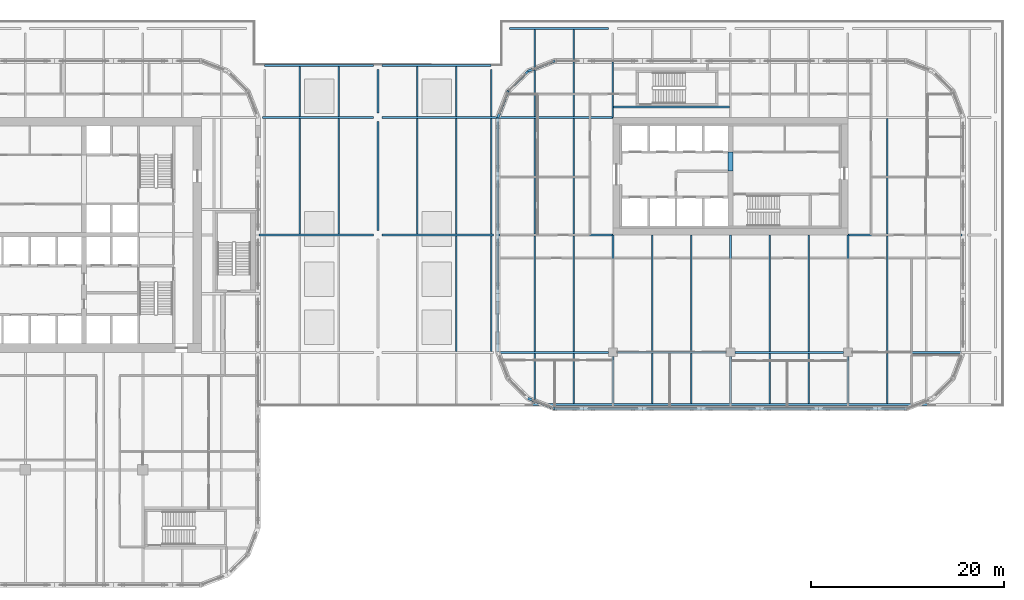
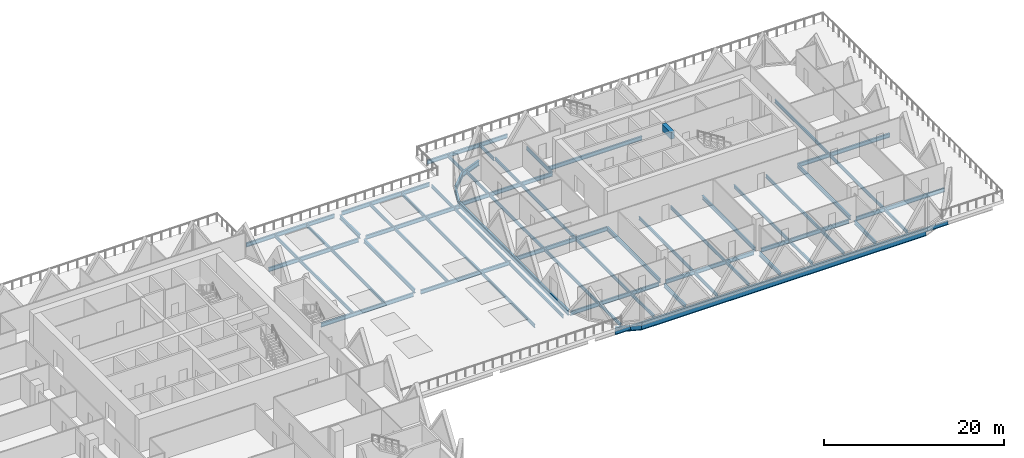
# One storey, part 3 of 21: 65 beams.
"""IFC4 building model written with IfcOpenShell, lengths in metres."""

from ifc_helpers import new_model, si_unit, direction, frame, origin, origin_2d, place, context, subcontext, project, spatial, rectangle, i_section, extrude, material, material_profile, profile_set, type_object, element, save


model = new_model("IFC4")

# Units and contexts
model_context = context("Model", 3, precision=1e-05, world=origin(), true_north=direction((0.0, 1.0)))
body_context = subcontext(model_context, "Body", "Model", "MODEL_VIEW")
ifc_project = project(units=[si_unit("LENGTHUNIT", "METRE"), si_unit("AREAUNIT", "SQUARE_METRE"), si_unit("VOLUMEUNIT", "CUBIC_METRE"), si_unit("PLANEANGLEUNIT", "RADIAN"), si_unit("MASSUNIT", "GRAM", prefix="KILO")], contexts=[model_context])

# Site, building, storey
site_placement = place(None, origin())
site = spatial("IfcSite", under=ifc_project, at=site_placement, CompositionType="ELEMENT")
building_placement = place(site_placement, origin())
building = spatial("IfcBuilding", under=site, at=building_placement, Name="Tessera Gate Towers", CompositionType="ELEMENT")
storey_placement = place(building_placement, frame((0.0, 0.0, 16.800048828125)))
storey = spatial("IfcBuildingStorey", under=building, at=storey_placement, Name="L03", CompositionType="ELEMENT", Elevation=16.800048828125)

# Beams
ifc_material_1 = material(Name="Concrete C60/75", Category="concrete")
ifc_material_profile_1 = material_profile(ifc_material_1, rectangle(XDim=0.5, YDim=0.89990234375, at=origin_2d()), Name="RC 500x900")
ifc_profile_set_1 = profile_set([ifc_material_profile_1], Name="Concrete C60/75")
beam_type_1 = type_object("IfcBeamType", Name="COUPLING BEAM 500x900 C60/75", PredefinedType="BEAM", material=ifc_profile_set_1)
beam_1_placement = place(storey_placement, frame((109.800048828125, 43.199951171875, 3.849853515625), z_axis=(0.0, 1.0, 0.0), x_axis=(-1.0, 0.0, 0.0)))
element("IfcBeam", 1, at=beam_1_placement, inside=storey, type_object=beam_type_1, Name="L03 coupling beam 1", PredefinedType="BEAM", context=body_context, shape_type="SweptSolid", body=[
    extrude(rectangle(XDim=0.5, YDim=0.89990234375, at=origin_2d()), origin(), (0.0, 0.0, 1.0), 2.0),
])
ifc_material_2 = material(Name="Steel 350W", Category="steel")
ifc_material_profile_2 = material_profile(ifc_material_2, i_section(OverallWidth=0.2529296875, OverallDepth=0.677978515625, WebThickness=0.01171875, FlangeThickness=0.016357421875, at=origin_2d()), Name="W690x125")
ifc_profile_set_2 = profile_set([ifc_material_profile_2], Name="Steel 350W")
beam_type_2 = type_object("IfcBeamType", Name="FLOOR EDGE GIRDER W690x125", PredefinedType="BEAM", material=ifc_profile_set_2)
beam_2_placement = place(storey_placement, frame((91.530029296875, 18.550048828125, -0.7890625), z_axis=(1.0, 0.0, 0.0), x_axis=(0.0, 1.0, 0.0)))
element("IfcBeam", 2, at=beam_2_placement, inside=storey, type_object=beam_type_2, Name="T2-GD-L03-639", PredefinedType="BEAM", context=body_context, shape_type="SweptSolid", body=[
    extrude(i_section(OverallWidth=0.2529296875, OverallDepth=0.677978515625, WebThickness=0.01171875, FlangeThickness=0.016357421875, at=origin_2d()), origin(), (0.0, 0.0, 1.0), 36.5400390625),
])
beam_3_placement = place(storey_placement, frame((88.772216796875, 53.579833984375, -0.339111328125), z_axis=(0.932989517273, 0.359903543549, 0.0), x_axis=(-0.359903543549, 0.932989517273, 0.0)))
element("IfcBeam", 3, at=beam_3_placement, inside=storey, type_object=beam_type_2, Name="T2-GD-L03-648", PredefinedType="BEAM", context=body_context, shape_type="SweptSolid", body=[
    extrude(i_section(OverallWidth=0.2529296875, OverallDepth=0.677978515625, WebThickness=0.01171875, FlangeThickness=0.016357421875, at=origin_2d()), origin(), (0.0, 0.0, 1.0), 2.990234375),
])
beam_4_placement = place(storey_placement, frame((86.69580078125, 51.489990234375, -0.339111328125), z_axis=(0.707065951624, 0.707147608392, 0.0), x_axis=(-0.707147608392, 0.707065951624, 0.0)))
element("IfcBeam", 4, at=beam_4_placement, inside=storey, type_object=beam_type_2, Name="T2-GD-L03-649", PredefinedType="BEAM", context=body_context, shape_type="SweptSolid", body=[
    extrude(i_section(OverallWidth=0.2529296875, OverallDepth=0.677978515625, WebThickness=0.01171875, FlangeThickness=0.016357421875, at=origin_2d()), origin(), (0.0, 0.0, 1.0), 2.98974609375),
])
beam_5_placement = place(storey_placement, frame((85.64404296875, 48.738037109375, -0.339111328125), z_axis=(0.359930961693, 0.932978940178, 0.0), x_axis=(-0.932978940178, 0.359930961693, 0.0)))
element("IfcBeam", 5, at=beam_5_placement, inside=storey, type_object=beam_type_2, Name="T2-GD-L03-650", PredefinedType="BEAM", context=body_context, shape_type="SweptSolid", body=[
    extrude(i_section(OverallWidth=0.2529296875, OverallDepth=0.677978515625, WebThickness=0.01171875, FlangeThickness=0.016357421875, at=origin_2d()), origin(), (0.0, 0.0, 1.0), 2.989990234375),
])
beam_6_placement = place(storey_placement, frame((85.64990234375, 24.429931640625, -0.339111328125), z_axis=(0.0, 1.0, 0.0), x_axis=(-1.0, 0.0, 0.0)))
element("IfcBeam", 6, at=beam_6_placement, inside=storey, type_object=beam_type_2, Name="T2-GD-L03-651", PredefinedType="BEAM", context=body_context, shape_type="SweptSolid", body=[
    extrude(i_section(OverallWidth=0.2529296875, OverallDepth=0.677978515625, WebThickness=0.01171875, FlangeThickness=0.016357421875, at=origin_2d()), origin(), (0.0, 0.0, 1.0), 24.340087890625),
])
beam_7_placement = place(storey_placement, frame((88.772216796875, 19.6201171875, -0.7890625), z_axis=(0.932989517273, -0.359903543549, 0.0), x_axis=(0.359903543549, 0.932989517273, 0.0)))
element("IfcBeam", 7, at=beam_7_placement, inside=storey, type_object=beam_type_2, Name="T2-GD-L03-654", PredefinedType="BEAM", context=body_context, shape_type="SweptSolid", body=[
    extrude(i_section(OverallWidth=0.2529296875, OverallDepth=0.677978515625, WebThickness=0.01171875, FlangeThickness=0.016357421875, at=origin_2d()), origin(), (0.0, 0.0, 1.0), 2.990234375),
])
ifc_material_3 = material(Name="Steel 350W", Category="steel")
ifc_material_profile_3 = material_profile(ifc_material_3, i_section(OverallWidth=0.208984375, OverallDepth=0.532958984375, WebThickness=0.01025390625, FlangeThickness=0.015625, at=origin_2d()), Name="W530x92")
ifc_profile_set_3 = profile_set([ifc_material_profile_3], Name="Steel 350W")
beam_type_3 = type_object("IfcBeamType", Name="FLOOR GIRDER W530x92", PredefinedType="BEAM", material=ifc_profile_set_3)
beam_8_placement = place(storey_placement, frame((88.44384765625, 19.0, -0.716552734375), z_axis=(1.0, 0.0, 0.0), x_axis=(0.0, 1.0, 0.0)))
element("IfcBeam", 8, at=beam_8_placement, inside=storey, type_object=beam_type_3, Name="T2-GD-L03-655", PredefinedType="BEAM", context=body_context, shape_type="SweptSolid", body=[
    extrude(i_section(OverallWidth=0.208984375, OverallDepth=0.532958984375, WebThickness=0.01025390625, FlangeThickness=0.015625, at=origin_2d()), origin(), (0.0, 0.0, 1.0), 42.712158203125),
])
beam_9_placement = place(storey_placement, frame((85.803466796875, 24.39990234375, -0.466552734375), z_axis=(1.0, 0.0, 0.0), x_axis=(0.0, 1.0, 0.0)))
element("IfcBeam", 9, at=beam_9_placement, inside=storey, type_object=beam_type_3, Name="T2-GD-L03-656", PredefinedType="BEAM", context=body_context, shape_type="SweptSolid", body=[
    extrude(i_section(OverallWidth=0.208984375, OverallDepth=0.532958984375, WebThickness=0.01025390625, FlangeThickness=0.015625, at=origin_2d()), origin(), (0.0, 0.0, 1.0), 11.346435546875),
])
for number, where, z_axis, x_axis, name in (
    (10, (98.050048828125, 24.39990234375, -0.466552734375), (1.0, 0.0, 0.0), (0.0, 1.0, 0.0), "T2-GD-L03-657"),
    (11, (110.25, 24.39990234375, -0.466552734375), (1.0, 0.0, 0.0), (0.0, 1.0, 0.0), "T2-GD-L03-658"),
):
    element("IfcBeam", number, at=place(storey_placement, frame(where, z_axis=z_axis, x_axis=x_axis)), inside=storey, type_object=beam_type_3, Name=name, PredefinedType="BEAM", context=body_context, shape_type="SweptSolid", body=[
        extrude(i_section(OverallWidth=0.208984375, OverallDepth=0.532958984375, WebThickness=0.01025390625, FlangeThickness=0.015625, at=origin_2d()), origin(), (0.0, 0.0, 1.0), 11.300048828125),
    ])
beam_10_placement = place(storey_placement, frame((122.449951171875, 24.39990234375, -0.466552734375), z_axis=(1.0, 0.0, 0.0), x_axis=(0.0, 1.0, 0.0)))
element("IfcBeam", 12, at=beam_10_placement, inside=storey, type_object=beam_type_3, Name="T2-GD-L03-659", PredefinedType="BEAM", context=body_context, shape_type="SweptSolid", body=[
    extrude(i_section(OverallWidth=0.208984375, OverallDepth=0.532958984375, WebThickness=0.01025390625, FlangeThickness=0.015625, at=origin_2d()), origin(), (0.0, 0.0, 1.0), 11.346435546875),
])
for number, where, z_axis, x_axis, name in (
    (13, (85.776611328125, 36.60009765625, -0.466552734375), (1.0, 0.0, 0.0), (0.0, 1.0, 0.0), "T2-GD-L03-660"),
    (14, (122.0009765625, 36.60009765625, -0.466552734375), (1.0, 0.0, 0.0), (0.0, 1.0, 0.0), "T2-GD-L03-661"),
):
    element("IfcBeam", number, at=place(storey_placement, frame(where, z_axis=z_axis, x_axis=x_axis)), inside=storey, type_object=beam_type_3, Name=name, PredefinedType="BEAM", context=body_context, shape_type="SweptSolid", body=[
        extrude(i_section(OverallWidth=0.208984375, OverallDepth=0.532958984375, WebThickness=0.01025390625, FlangeThickness=0.015625, at=origin_2d()), origin(), (0.0, 0.0, 1.0), 11.822509765625),
    ])
beam_11_placement = place(storey_placement, frame((85.803466796875, 48.800048828125, -0.466552734375), z_axis=(1.0, 0.0, 0.0), x_axis=(0.0, 1.0, 0.0)))
element("IfcBeam", 15, at=beam_11_placement, inside=storey, type_object=beam_type_3, Name="T2-GD-L03-662", PredefinedType="BEAM", context=body_context, shape_type="SweptSolid", body=[
    extrude(i_section(OverallWidth=0.208984375, OverallDepth=0.532958984375, WebThickness=0.01025390625, FlangeThickness=0.015625, at=origin_2d()), origin(), (0.0, 0.0, 1.0), 11.795654296875),
])
beam_12_placement = place(storey_placement, frame((97.60009765625, 19.1044921875, -0.466552734375), z_axis=(0.0, 1.0, 0.0), x_axis=(-1.0, 0.0, 0.0)))
element("IfcBeam", 16, at=beam_12_placement, inside=storey, type_object=beam_type_3, Name="T2-GD-L03-664", PredefinedType="BEAM", context=body_context, shape_type="SweptSolid", body=[
    extrude(i_section(OverallWidth=0.208984375, OverallDepth=0.532958984375, WebThickness=0.01025390625, FlangeThickness=0.015625, at=origin_2d()), origin(), (0.0, 0.0, 1.0), 4.845458984375),
])
beam_13_placement = place(storey_placement, frame((97.60009765625, 24.85009765625, -0.466552734375), z_axis=(0.0, 1.0, 0.0), x_axis=(-1.0, 0.0, 0.0)))
element("IfcBeam", 17, at=beam_13_placement, inside=storey, type_object=beam_type_3, Name="T2-GD-L03-665", PredefinedType="BEAM", context=body_context, shape_type="SweptSolid", body=[
    extrude(i_section(OverallWidth=0.208984375, OverallDepth=0.532958984375, WebThickness=0.01025390625, FlangeThickness=0.015625, at=origin_2d()), origin(), (0.0, 0.0, 1.0), 11.75),
])
beam_14_placement = place(storey_placement, frame((109.800048828125, 19.1044921875, -0.466552734375), z_axis=(0.0, 1.0, 0.0), x_axis=(-1.0, 0.0, 0.0)))
element("IfcBeam", 18, at=beam_14_placement, inside=storey, type_object=beam_type_3, Name="T2-GD-L03-666", PredefinedType="BEAM", context=body_context, shape_type="SweptSolid", body=[
    extrude(i_section(OverallWidth=0.208984375, OverallDepth=0.532958984375, WebThickness=0.01025390625, FlangeThickness=0.015625, at=origin_2d()), origin(), (0.0, 0.0, 1.0), 4.845458984375),
])
beam_15_placement = place(storey_placement, frame((109.800048828125, 24.85009765625, -0.466552734375), z_axis=(0.0, 1.0, 0.0), x_axis=(-1.0, 0.0, 0.0)))
element("IfcBeam", 19, at=beam_15_placement, inside=storey, type_object=beam_type_3, Name="T2-GD-L03-667", PredefinedType="BEAM", context=body_context, shape_type="SweptSolid", body=[
    extrude(i_section(OverallWidth=0.208984375, OverallDepth=0.532958984375, WebThickness=0.01025390625, FlangeThickness=0.015625, at=origin_2d()), origin(), (0.0, 0.0, 1.0), 11.75),
])
beam_16_placement = place(storey_placement, frame((122.0, 19.1044921875, -0.466552734375), z_axis=(0.0, 1.0, 0.0), x_axis=(-1.0, 0.0, 0.0)))
element("IfcBeam", 20, at=beam_16_placement, inside=storey, type_object=beam_type_3, Name="T2-GD-L03-668", PredefinedType="BEAM", context=body_context, shape_type="SweptSolid", body=[
    extrude(i_section(OverallWidth=0.208984375, OverallDepth=0.532958984375, WebThickness=0.01025390625, FlangeThickness=0.015625, at=origin_2d()), origin(), (0.0, 0.0, 1.0), 4.845458984375),
])
beam_17_placement = place(storey_placement, frame((122.0, 24.85009765625, -0.466552734375), z_axis=(0.0, 1.0, 0.0), x_axis=(-1.0, 0.0, 0.0)))
element("IfcBeam", 21, at=beam_17_placement, inside=storey, type_object=beam_type_3, Name="T2-GD-L03-669", PredefinedType="BEAM", context=body_context, shape_type="SweptSolid", body=[
    extrude(i_section(OverallWidth=0.208984375, OverallDepth=0.532958984375, WebThickness=0.01025390625, FlangeThickness=0.015625, at=origin_2d()), origin(), (0.0, 0.0, 1.0), 11.75),
])
beam_18_placement = place(storey_placement, frame((97.676513671875, 49.8798828125, -0.466552734375), z_axis=(1.0, 0.0, 0.0), x_axis=(0.0, 1.0, 0.0)))
element("IfcBeam", 22, at=beam_18_placement, inside=storey, type_object=beam_type_3, Name="T2-GD-L03-670", PredefinedType="BEAM", context=body_context, shape_type="SweptSolid", body=[
    extrude(i_section(OverallWidth=0.208984375, OverallDepth=0.532958984375, WebThickness=0.01025390625, FlangeThickness=0.015625, at=origin_2d()), origin(), (0.0, 0.0, 1.0), 12.046875),
])
for number, where, z_axis, x_axis, name in (
    (23, (61.449951171875, 54.199951171875, -0.716552734375), (1.0, 0.0, 0.0), (0.0, 1.0, 0.0), "PD-R-GD-L03-705"),
    (24, (73.64990234375, 54.199951171875, -0.716552734375), (1.0, 0.0, 0.0), (0.0, 1.0, 0.0), "PD-R-GD-L03-706"),
):
    element("IfcBeam", number, at=place(storey_placement, frame(where, z_axis=z_axis, x_axis=x_axis)), inside=storey, type_object=beam_type_3, Name=name, PredefinedType="BEAM", context=body_context, shape_type="SweptSolid", body=[
        extrude(i_section(OverallWidth=0.208984375, OverallDepth=0.532958984375, WebThickness=0.01025390625, FlangeThickness=0.015625, at=origin_2d()), origin(), (0.0, 0.0, 1.0), 11.300048828125),
    ])
beam_19_placement = place(storey_placement, frame((60.8544921875, 36.60009765625, -0.716552734375), z_axis=(1.0, 0.0, 0.0), x_axis=(0.0, 1.0, 0.0)))
element("IfcBeam", 25, at=beam_19_placement, inside=storey, type_object=beam_type_3, Name="PD-R-GD-L03-715", PredefinedType="BEAM", context=body_context, shape_type="SweptSolid", body=[
    extrude(i_section(OverallWidth=0.208984375, OverallDepth=0.532958984375, WebThickness=0.01025390625, FlangeThickness=0.015625, at=origin_2d()), origin(), (0.0, 0.0, 1.0), 11.8955078125),
])
for number, where, z_axis, x_axis, name in (
    (26, (73.64990234375, 36.60009765625, -0.716552734375), (1.0, 0.0, 0.0), (0.0, 1.0, 0.0), "PD-R-GD-L03-716"),
    (27, (61.199951171875, 48.800048828125, -0.716552734375), (1.0, 0.0, 0.0), (0.0, 1.0, 0.0), "PD-R-GD-L03-718"),
):
    element("IfcBeam", number, at=place(storey_placement, frame(where, z_axis=z_axis, x_axis=x_axis)), inside=storey, type_object=beam_type_3, Name=name, PredefinedType="BEAM", context=body_context, shape_type="SweptSolid", body=[
        extrude(i_section(OverallWidth=0.208984375, OverallDepth=0.532958984375, WebThickness=0.01025390625, FlangeThickness=0.015625, at=origin_2d()), origin(), (0.0, 0.0, 1.0), 11.550048828125),
    ])
beam_20_placement = place(storey_placement, frame((73.64990234375, 48.800048828125, -0.716552734375), z_axis=(1.0, 0.0, 0.0), x_axis=(0.0, 1.0, 0.0)))
element("IfcBeam", 28, at=beam_20_placement, inside=storey, type_object=beam_type_3, Name="PD-R-GD-L03-719", PredefinedType="BEAM", context=body_context, shape_type="SweptSolid", body=[
    extrude(i_section(OverallWidth=0.208984375, OverallDepth=0.532958984375, WebThickness=0.01025390625, FlangeThickness=0.015625, at=origin_2d()), origin(), (0.0, 0.0, 1.0), 12.153564453125),
])
beam_21_placement = place(storey_placement, frame((86.85009765625, 58.0, -0.716552734375), z_axis=(1.0, 0.0, 0.0), x_axis=(0.0, 1.0, 0.0)))
element("IfcBeam", 29, at=beam_21_placement, inside=storey, type_object=beam_type_3, Name="PD-R-GD-L03-726", PredefinedType="BEAM", context=body_context, shape_type="SweptSolid", body=[
    extrude(i_section(OverallWidth=0.208984375, OverallDepth=0.532958984375, WebThickness=0.01025390625, FlangeThickness=0.015625, at=origin_2d()), origin(), (0.0, 0.0, 1.0), 10.2998046875),
])
beam_22_placement = place(storey_placement, frame((73.199951171875, 37.050048828125, -0.716552734375), z_axis=(0.0, 1.0, 0.0), x_axis=(-1.0, 0.0, 0.0)))
element("IfcBeam", 30, at=beam_22_placement, inside=storey, type_object=beam_type_3, Name="PD-R-GD-L03-734", PredefinedType="BEAM", context=body_context, shape_type="SweptSolid", body=[
    extrude(i_section(OverallWidth=0.208984375, OverallDepth=0.532958984375, WebThickness=0.01025390625, FlangeThickness=0.015625, at=origin_2d()), origin(), (0.0, 0.0, 1.0), 11.300048828125),
])
beam_23_placement = place(storey_placement, frame((73.199951171875, 49.25, -0.716552734375), z_axis=(0.0, 1.0, 0.0), x_axis=(-1.0, 0.0, 0.0)))
element("IfcBeam", 31, at=beam_23_placement, inside=storey, type_object=beam_type_3, Name="PD-R-GD-L03-735", PredefinedType="BEAM", context=body_context, shape_type="SweptSolid", body=[
    extrude(i_section(OverallWidth=0.208984375, OverallDepth=0.532958984375, WebThickness=0.01025390625, FlangeThickness=0.015625, at=origin_2d()), origin(), (0.0, 0.0, 1.0), 4.5),
])
ifc_material_4 = material(Name="Steel 350W", Category="steel")
ifc_material_profile_4 = material_profile(ifc_material_4, i_section(OverallWidth=0.153076171875, OverallDepth=0.455078125, WebThickness=0.008056640625, FlangeThickness=0.01318359375, at=origin_2d()), Name="W460x60")
ifc_profile_set_4 = profile_set([ifc_material_profile_4], Name="Steel 350W")
beam_type_4 = type_object("IfcBeamType", Name="FLOOR SECONDARY W460x60", PredefinedType="BEAM", material=ifc_profile_set_4)
beam_24_placement = place(storey_placement, frame((89.490966796875, 19.478515625, -0.427490234375), z_axis=(0.0, 1.0, 0.0), x_axis=(-1.0, 0.0, 0.0)))
element("IfcBeam", 32, at=beam_24_placement, inside=storey, type_object=beam_type_4, Name="T2-BM-L03-672", PredefinedType="BEAM", context=body_context, shape_type="SweptSolid", body=[
    extrude(i_section(OverallWidth=0.153076171875, OverallDepth=0.455078125, WebThickness=0.008056640625, FlangeThickness=0.01318359375, at=origin_2d()), origin(), (0.0, 0.0, 1.0), 4.81689453125),
])
beam_25_placement = place(storey_placement, frame((89.490966796875, 24.50439453125, -0.427490234375), z_axis=(0.0, 1.0, 0.0), x_axis=(-1.0, 0.0, 0.0)))
element("IfcBeam", 33, at=beam_25_placement, inside=storey, type_object=beam_type_4, Name="T2-BM-L03-673", PredefinedType="BEAM", context=body_context, shape_type="SweptSolid", body=[
    extrude(i_section(OverallWidth=0.153076171875, OverallDepth=0.455078125, WebThickness=0.008056640625, FlangeThickness=0.01318359375, at=origin_2d()), origin(), (0.0, 0.0, 1.0), 11.9912109375),
])
beam_26_placement = place(storey_placement, frame((89.490966796875, 36.70458984375, -0.427490234375), z_axis=(0.0, 1.0, 0.0), x_axis=(-1.0, 0.0, 0.0)))
element("IfcBeam", 34, at=beam_26_placement, inside=storey, type_object=beam_type_4, Name="T2-BM-L03-674", PredefinedType="BEAM", context=body_context, shape_type="SweptSolid", body=[
    extrude(i_section(OverallWidth=0.153076171875, OverallDepth=0.455078125, WebThickness=0.008056640625, FlangeThickness=0.01318359375, at=origin_2d()), origin(), (0.0, 0.0, 1.0), 11.990966796875),
])
beam_27_placement = place(storey_placement, frame((89.490966796875, 48.904541015625, -0.427490234375), z_axis=(0.0, 1.0, 0.0), x_axis=(-1.0, 0.0, 0.0)))
element("IfcBeam", 35, at=beam_27_placement, inside=storey, type_object=beam_type_4, Name="T2-BM-L03-675", PredefinedType="BEAM", context=body_context, shape_type="SweptSolid", body=[
    extrude(i_section(OverallWidth=0.153076171875, OverallDepth=0.455078125, WebThickness=0.008056640625, FlangeThickness=0.01318359375, at=origin_2d()), origin(), (0.0, 0.0, 1.0), 4.81689453125),
])
beam_28_placement = place(storey_placement, frame((93.533203125, 19.1044921875, -0.427490234375), z_axis=(0.0, 1.0, 0.0), x_axis=(-1.0, 0.0, 0.0)))
element("IfcBeam", 36, at=beam_28_placement, inside=storey, type_object=beam_type_4, Name="T2-BM-L03-676", PredefinedType="BEAM", context=body_context, shape_type="SweptSolid", body=[
    extrude(i_section(OverallWidth=0.153076171875, OverallDepth=0.455078125, WebThickness=0.008056640625, FlangeThickness=0.01318359375, at=origin_2d()), origin(), (0.0, 0.0, 1.0), 5.19091796875),
])
beam_29_placement = place(storey_placement, frame((93.533203125, 24.50439453125, -0.427490234375), z_axis=(0.0, 1.0, 0.0), x_axis=(-1.0, 0.0, 0.0)))
element("IfcBeam", 37, at=beam_29_placement, inside=storey, type_object=beam_type_4, Name="T2-BM-L03-677", PredefinedType="BEAM", context=body_context, shape_type="SweptSolid", body=[
    extrude(i_section(OverallWidth=0.153076171875, OverallDepth=0.455078125, WebThickness=0.008056640625, FlangeThickness=0.01318359375, at=origin_2d()), origin(), (0.0, 0.0, 1.0), 11.9912109375),
])
beam_30_placement = place(storey_placement, frame((93.533203125, 36.70458984375, -0.427490234375), z_axis=(0.0, 1.0, 0.0), x_axis=(-1.0, 0.0, 0.0)))
element("IfcBeam", 38, at=beam_30_placement, inside=storey, type_object=beam_type_4, Name="T2-BM-L03-678", PredefinedType="BEAM", context=body_context, shape_type="SweptSolid", body=[
    extrude(i_section(OverallWidth=0.153076171875, OverallDepth=0.455078125, WebThickness=0.008056640625, FlangeThickness=0.01318359375, at=origin_2d()), origin(), (0.0, 0.0, 1.0), 11.990966796875),
])
beam_31_placement = place(storey_placement, frame((93.533203125, 48.904541015625, -0.427490234375), z_axis=(0.0, 1.0, 0.0), x_axis=(-1.0, 0.0, 0.0)))
element("IfcBeam", 39, at=beam_31_placement, inside=storey, type_object=beam_type_4, Name="T2-BM-L03-679", PredefinedType="BEAM", context=body_context, shape_type="SweptSolid", body=[
    extrude(i_section(OverallWidth=0.153076171875, OverallDepth=0.455078125, WebThickness=0.008056640625, FlangeThickness=0.01318359375, at=origin_2d()), origin(), (0.0, 0.0, 1.0), 5.618896484375),
])
beam_32_placement = place(storey_placement, frame((97.60009765625, 48.800048828125, -0.427490234375), z_axis=(0.0, 1.0, 0.0), x_axis=(-1.0, 0.0, 0.0)))
element("IfcBeam", 40, at=beam_32_placement, inside=storey, type_object=beam_type_4, Name="T2-BM-L03-680", PredefinedType="BEAM", context=body_context, shape_type="SweptSolid", body=[
    extrude(i_section(OverallWidth=0.153076171875, OverallDepth=0.455078125, WebThickness=0.008056640625, FlangeThickness=0.01318359375, at=origin_2d()), origin(), (0.0, 0.0, 1.0), 5.723388671875),
])
beam_33_placement = place(storey_placement, frame((101.666748046875, 19.1044921875, -0.427490234375), z_axis=(0.0, 1.0, 0.0), x_axis=(-1.0, 0.0, 0.0)))
element("IfcBeam", 41, at=beam_33_placement, inside=storey, type_object=beam_type_4, Name="T2-BM-L03-681", PredefinedType="BEAM", context=body_context, shape_type="SweptSolid", body=[
    extrude(i_section(OverallWidth=0.153076171875, OverallDepth=0.455078125, WebThickness=0.008056640625, FlangeThickness=0.01318359375, at=origin_2d()), origin(), (0.0, 0.0, 1.0), 5.19091796875),
])
beam_34_placement = place(storey_placement, frame((101.666748046875, 24.50439453125, -0.427490234375), z_axis=(0.0, 1.0, 0.0), x_axis=(-1.0, 0.0, 0.0)))
element("IfcBeam", 42, at=beam_34_placement, inside=storey, type_object=beam_type_4, Name="T2-BM-L03-682", PredefinedType="BEAM", context=body_context, shape_type="SweptSolid", body=[
    extrude(i_section(OverallWidth=0.153076171875, OverallDepth=0.455078125, WebThickness=0.008056640625, FlangeThickness=0.01318359375, at=origin_2d()), origin(), (0.0, 0.0, 1.0), 12.095703125),
])
beam_35_placement = place(storey_placement, frame((105.7333984375, 19.1044921875, -0.427490234375), z_axis=(0.0, 1.0, 0.0), x_axis=(-1.0, 0.0, 0.0)))
element("IfcBeam", 43, at=beam_35_placement, inside=storey, type_object=beam_type_4, Name="T2-BM-L03-683", PredefinedType="BEAM", context=body_context, shape_type="SweptSolid", body=[
    extrude(i_section(OverallWidth=0.153076171875, OverallDepth=0.455078125, WebThickness=0.008056640625, FlangeThickness=0.01318359375, at=origin_2d()), origin(), (0.0, 0.0, 1.0), 5.19091796875),
])
beam_36_placement = place(storey_placement, frame((105.7333984375, 24.50439453125, -0.427490234375), z_axis=(0.0, 1.0, 0.0), x_axis=(-1.0, 0.0, 0.0)))
element("IfcBeam", 44, at=beam_36_placement, inside=storey, type_object=beam_type_4, Name="T2-BM-L03-684", PredefinedType="BEAM", context=body_context, shape_type="SweptSolid", body=[
    extrude(i_section(OverallWidth=0.153076171875, OverallDepth=0.455078125, WebThickness=0.008056640625, FlangeThickness=0.01318359375, at=origin_2d()), origin(), (0.0, 0.0, 1.0), 12.095703125),
])
beam_37_placement = place(storey_placement, frame((113.86669921875, 19.1044921875, -0.427490234375), z_axis=(0.0, 1.0, 0.0), x_axis=(-1.0, 0.0, 0.0)))
element("IfcBeam", 45, at=beam_37_placement, inside=storey, type_object=beam_type_4, Name="T2-BM-L03-686", PredefinedType="BEAM", context=body_context, shape_type="SweptSolid", body=[
    extrude(i_section(OverallWidth=0.153076171875, OverallDepth=0.455078125, WebThickness=0.008056640625, FlangeThickness=0.01318359375, at=origin_2d()), origin(), (0.0, 0.0, 1.0), 5.19091796875),
])
beam_38_placement = place(storey_placement, frame((113.86669921875, 24.50439453125, -0.427490234375), z_axis=(0.0, 1.0, 0.0), x_axis=(-1.0, 0.0, 0.0)))
element("IfcBeam", 46, at=beam_38_placement, inside=storey, type_object=beam_type_4, Name="T2-BM-L03-687", PredefinedType="BEAM", context=body_context, shape_type="SweptSolid", body=[
    extrude(i_section(OverallWidth=0.153076171875, OverallDepth=0.455078125, WebThickness=0.008056640625, FlangeThickness=0.01318359375, at=origin_2d()), origin(), (0.0, 0.0, 1.0), 12.095703125),
])
beam_39_placement = place(storey_placement, frame((117.933349609375, 19.1044921875, -0.427490234375), z_axis=(0.0, 1.0, 0.0), x_axis=(-1.0, 0.0, 0.0)))
element("IfcBeam", 47, at=beam_39_placement, inside=storey, type_object=beam_type_4, Name="T2-BM-L03-689", PredefinedType="BEAM", context=body_context, shape_type="SweptSolid", body=[
    extrude(i_section(OverallWidth=0.153076171875, OverallDepth=0.455078125, WebThickness=0.008056640625, FlangeThickness=0.01318359375, at=origin_2d()), origin(), (0.0, 0.0, 1.0), 5.19091796875),
])
beam_40_placement = place(storey_placement, frame((117.933349609375, 24.50439453125, -0.427490234375), z_axis=(0.0, 1.0, 0.0), x_axis=(-1.0, 0.0, 0.0)))
element("IfcBeam", 48, at=beam_40_placement, inside=storey, type_object=beam_type_4, Name="T2-BM-L03-690", PredefinedType="BEAM", context=body_context, shape_type="SweptSolid", body=[
    extrude(i_section(OverallWidth=0.153076171875, OverallDepth=0.455078125, WebThickness=0.008056640625, FlangeThickness=0.01318359375, at=origin_2d()), origin(), (0.0, 0.0, 1.0), 12.095703125),
])
beam_41_placement = place(storey_placement, frame((126.066650390625, 19.1044921875, -0.427490234375), z_axis=(0.0, 1.0, 0.0), x_axis=(-1.0, 0.0, 0.0)))
element("IfcBeam", 49, at=beam_41_placement, inside=storey, type_object=beam_type_4, Name="T2-BM-L03-693", PredefinedType="BEAM", context=body_context, shape_type="SweptSolid", body=[
    extrude(i_section(OverallWidth=0.153076171875, OverallDepth=0.455078125, WebThickness=0.008056640625, FlangeThickness=0.01318359375, at=origin_2d()), origin(), (0.0, 0.0, 1.0), 5.19091796875),
])
beam_42_placement = place(storey_placement, frame((126.066650390625, 24.50439453125, -0.427490234375), z_axis=(0.0, 1.0, 0.0), x_axis=(-1.0, 0.0, 0.0)))
element("IfcBeam", 50, at=beam_42_placement, inside=storey, type_object=beam_type_4, Name="T2-BM-L03-694", PredefinedType="BEAM", context=body_context, shape_type="SweptSolid", body=[
    extrude(i_section(OverallWidth=0.153076171875, OverallDepth=0.455078125, WebThickness=0.008056640625, FlangeThickness=0.01318359375, at=origin_2d()), origin(), (0.0, 0.0, 1.0), 11.9912109375),
])
for number, where, z_axis, x_axis, name in (
    (51, (126.066650390625, 36.70458984375, -0.427490234375), (0.0, 1.0, 0.0), (-1.0, 0.0, 0.0), "T2-BM-L03-695"),
    (52, (65.066650390625, 36.70458984375, -0.677490234375), (0.0, 1.0, 0.0), (-1.0, 0.0, 0.0), "PD-R-BM-L03-758"),
):
    element("IfcBeam", number, at=place(storey_placement, frame(where, z_axis=z_axis, x_axis=x_axis)), inside=storey, type_object=beam_type_4, Name=name, PredefinedType="BEAM", context=body_context, shape_type="SweptSolid", body=[
        extrude(i_section(OverallWidth=0.153076171875, OverallDepth=0.455078125, WebThickness=0.008056640625, FlangeThickness=0.01318359375, at=origin_2d()), origin(), (0.0, 0.0, 1.0), 11.990966796875),
    ])
beam_43_placement = place(storey_placement, frame((65.066650390625, 48.904541015625, -0.677490234375), z_axis=(0.0, 1.0, 0.0), x_axis=(-1.0, 0.0, 0.0)))
element("IfcBeam", 53, at=beam_43_placement, inside=storey, type_object=beam_type_4, Name="PD-R-BM-L03-759", PredefinedType="BEAM", context=body_context, shape_type="SweptSolid", body=[
    extrude(i_section(OverallWidth=0.153076171875, OverallDepth=0.455078125, WebThickness=0.008056640625, FlangeThickness=0.01318359375, at=origin_2d()), origin(), (0.0, 0.0, 1.0), 5.19091796875),
])
beam_44_placement = place(storey_placement, frame((69.13330078125, 36.70458984375, -0.677490234375), z_axis=(0.0, 1.0, 0.0), x_axis=(-1.0, 0.0, 0.0)))
element("IfcBeam", 54, at=beam_44_placement, inside=storey, type_object=beam_type_4, Name="PD-R-BM-L03-762", PredefinedType="BEAM", context=body_context, shape_type="SweptSolid", body=[
    extrude(i_section(OverallWidth=0.153076171875, OverallDepth=0.455078125, WebThickness=0.008056640625, FlangeThickness=0.01318359375, at=origin_2d()), origin(), (0.0, 0.0, 1.0), 11.990966796875),
])
beam_45_placement = place(storey_placement, frame((69.13330078125, 48.904541015625, -0.677490234375), z_axis=(0.0, 1.0, 0.0), x_axis=(-1.0, 0.0, 0.0)))
element("IfcBeam", 55, at=beam_45_placement, inside=storey, type_object=beam_type_4, Name="PD-R-BM-L03-763", PredefinedType="BEAM", context=body_context, shape_type="SweptSolid", body=[
    extrude(i_section(OverallWidth=0.153076171875, OverallDepth=0.455078125, WebThickness=0.008056640625, FlangeThickness=0.01318359375, at=origin_2d()), origin(), (0.0, 0.0, 1.0), 5.19091796875),
])
beam_46_placement = place(storey_placement, frame((77.2666015625, 36.70458984375, -0.677490234375), z_axis=(0.0, 1.0, 0.0), x_axis=(-1.0, 0.0, 0.0)))
element("IfcBeam", 56, at=beam_46_placement, inside=storey, type_object=beam_type_4, Name="PD-R-BM-L03-766", PredefinedType="BEAM", context=body_context, shape_type="SweptSolid", body=[
    extrude(i_section(OverallWidth=0.153076171875, OverallDepth=0.455078125, WebThickness=0.008056640625, FlangeThickness=0.01318359375, at=origin_2d()), origin(), (0.0, 0.0, 1.0), 11.990966796875),
])
beam_47_placement = place(storey_placement, frame((77.2666015625, 48.904541015625, -0.677490234375), z_axis=(0.0, 1.0, 0.0), x_axis=(-1.0, 0.0, 0.0)))
element("IfcBeam", 57, at=beam_47_placement, inside=storey, type_object=beam_type_4, Name="PD-R-BM-L03-767", PredefinedType="BEAM", context=body_context, shape_type="SweptSolid", body=[
    extrude(i_section(OverallWidth=0.153076171875, OverallDepth=0.455078125, WebThickness=0.008056640625, FlangeThickness=0.01318359375, at=origin_2d()), origin(), (0.0, 0.0, 1.0), 5.19091796875),
])
beam_48_placement = place(storey_placement, frame((81.333251953125, 24.50439453125, -0.677490234375), z_axis=(0.0, 1.0, 0.0), x_axis=(-1.0, 0.0, 0.0)))
element("IfcBeam", 58, at=beam_48_placement, inside=storey, type_object=beam_type_4, Name="PD-R-BM-L03-769", PredefinedType="BEAM", context=body_context, shape_type="SweptSolid", body=[
    extrude(i_section(OverallWidth=0.153076171875, OverallDepth=0.455078125, WebThickness=0.008056640625, FlangeThickness=0.01318359375, at=origin_2d()), origin(), (0.0, 0.0, 1.0), 11.9912109375),
])
beam_49_placement = place(storey_placement, frame((81.333251953125, 36.70458984375, -0.677490234375), z_axis=(0.0, 1.0, 0.0), x_axis=(-1.0, 0.0, 0.0)))
element("IfcBeam", 59, at=beam_49_placement, inside=storey, type_object=beam_type_4, Name="PD-R-BM-L03-770", PredefinedType="BEAM", context=body_context, shape_type="SweptSolid", body=[
    extrude(i_section(OverallWidth=0.153076171875, OverallDepth=0.455078125, WebThickness=0.008056640625, FlangeThickness=0.01318359375, at=origin_2d()), origin(), (0.0, 0.0, 1.0), 11.990966796875),
])
beam_50_placement = place(storey_placement, frame((81.333251953125, 48.904541015625, -0.677490234375), z_axis=(0.0, 1.0, 0.0), x_axis=(-1.0, 0.0, 0.0)))
element("IfcBeam", 60, at=beam_50_placement, inside=storey, type_object=beam_type_4, Name="PD-R-BM-L03-771", PredefinedType="BEAM", context=body_context, shape_type="SweptSolid", body=[
    extrude(i_section(OverallWidth=0.153076171875, OverallDepth=0.455078125, WebThickness=0.008056640625, FlangeThickness=0.01318359375, at=origin_2d()), origin(), (0.0, 0.0, 1.0), 5.19091796875),
])
beam_51_placement = place(storey_placement, frame((84.968994140625, 24.50439453125, -0.677490234375), z_axis=(0.0, 1.0, 0.0), x_axis=(-1.0, 0.0, 0.0)))
element("IfcBeam", 61, at=beam_51_placement, inside=storey, type_object=beam_type_4, Name="PD-R-BM-L03-773", PredefinedType="BEAM", context=body_context, shape_type="SweptSolid", body=[
    extrude(i_section(OverallWidth=0.153076171875, OverallDepth=0.455078125, WebThickness=0.008056640625, FlangeThickness=0.01318359375, at=origin_2d()), origin(), (0.0, 0.0, 1.0), 11.9912109375),
])
beam_52_placement = place(storey_placement, frame((84.968994140625, 36.70458984375, -0.677490234375), z_axis=(0.0, 1.0, 0.0), x_axis=(-1.0, 0.0, 0.0)))
element("IfcBeam", 62, at=beam_52_placement, inside=storey, type_object=beam_type_4, Name="PD-R-BM-L03-774", PredefinedType="BEAM", context=body_context, shape_type="SweptSolid", body=[
    extrude(i_section(OverallWidth=0.153076171875, OverallDepth=0.455078125, WebThickness=0.008056640625, FlangeThickness=0.01318359375, at=origin_2d()), origin(), (0.0, 0.0, 1.0), 11.990966796875),
])
beam_53_placement = place(storey_placement, frame((84.968994140625, 48.904541015625, -0.677490234375), z_axis=(0.0, 1.0, 0.0), x_axis=(-1.0, 0.0, 0.0)))
element("IfcBeam", 63, at=beam_53_placement, inside=storey, type_object=beam_type_4, Name="PD-R-BM-L03-775", PredefinedType="BEAM", context=body_context, shape_type="SweptSolid", body=[
    extrude(i_section(OverallWidth=0.153076171875, OverallDepth=0.455078125, WebThickness=0.008056640625, FlangeThickness=0.01318359375, at=origin_2d()), origin(), (0.0, 0.0, 1.0), 4.845458984375),
])
beam_54_placement = place(storey_placement, frame((89.466796875, 53.959716796875, -0.677490234375), z_axis=(0.0, 1.0, 0.0), x_axis=(-1.0, 0.0, 0.0)))
element("IfcBeam", 64, at=beam_54_placement, inside=storey, type_object=beam_type_4, Name="PD-R-BM-L03-776", PredefinedType="BEAM", context=body_context, shape_type="SweptSolid", body=[
    extrude(i_section(OverallWidth=0.153076171875, OverallDepth=0.455078125, WebThickness=0.008056640625, FlangeThickness=0.01318359375, at=origin_2d()), origin(), (0.0, 0.0, 1.0), 3.935791015625),
])
beam_55_placement = place(storey_placement, frame((93.533203125, 54.75439453125, -0.677490234375), z_axis=(0.0, 1.0, 0.0), x_axis=(-1.0, 0.0, 0.0)))
element("IfcBeam", 65, at=beam_55_placement, inside=storey, type_object=beam_type_4, Name="PD-R-BM-L03-777", PredefinedType="BEAM", context=body_context, shape_type="SweptSolid", body=[
    extrude(i_section(OverallWidth=0.153076171875, OverallDepth=0.455078125, WebThickness=0.008056640625, FlangeThickness=0.01318359375, at=origin_2d()), origin(), (0.0, 0.0, 1.0), 3.14111328125),
])

save(model, "model.ifc")
